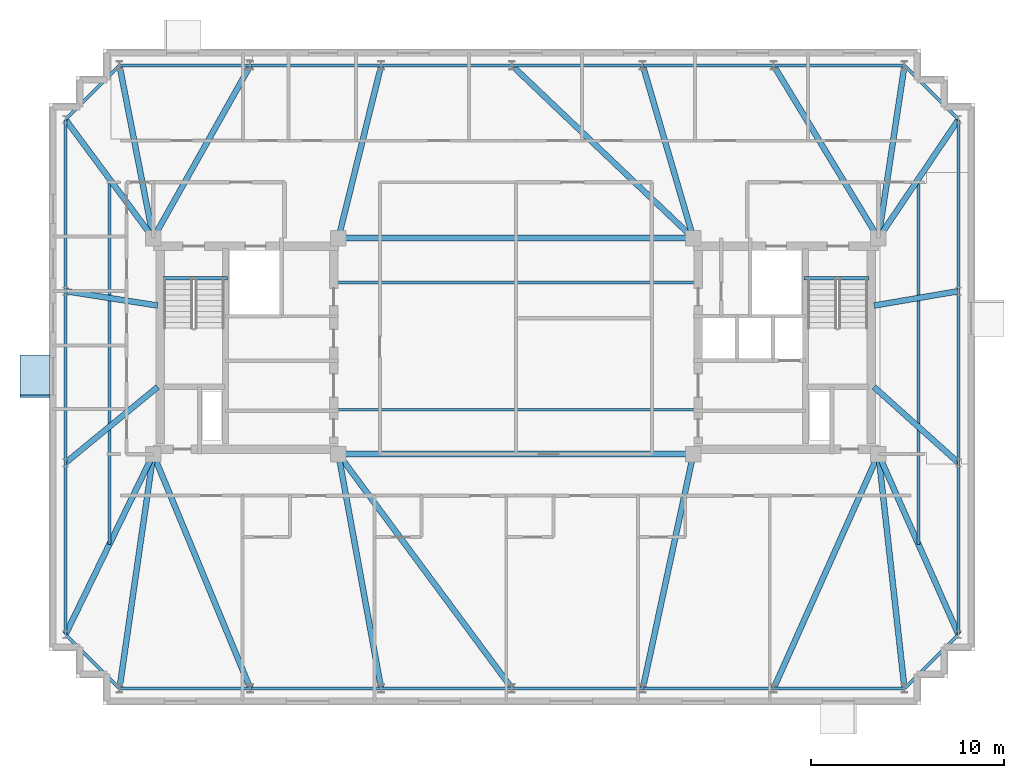
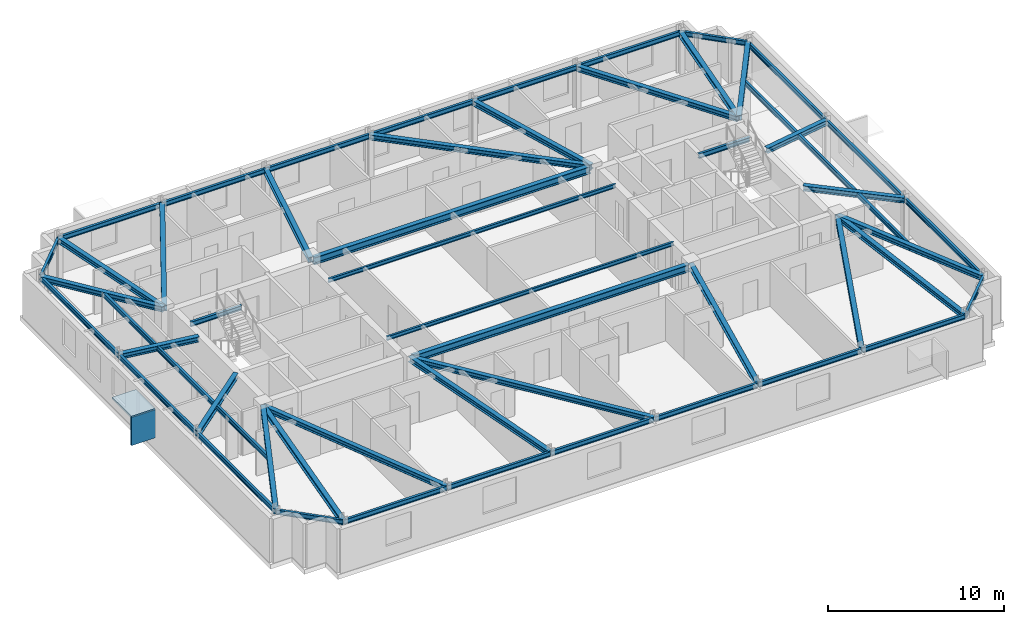
# One storey, part 4 of 12: 52 beams, 2 plates.
"""IFC4 building model written with IfcOpenShell, lengths in metres."""

from ifc_helpers import new_model, si_unit, direction, frame, origin, origin_2d, place, context, subcontext, project, spatial, rectangle, i_section, extrude, material, layer, layer_set, material_profile, profile_set, type_object, element, save


model = new_model("IFC4")

# Units and contexts
model_context = context("Model", 3, precision=1e-05, world=origin(), true_north=direction((0.0, 1.0)))
body_context = subcontext(model_context, "Body", "Model", "MODEL_VIEW")
ifc_project = project(units=[si_unit("LENGTHUNIT", "METRE"), si_unit("AREAUNIT", "SQUARE_METRE"), si_unit("VOLUMEUNIT", "CUBIC_METRE"), si_unit("PLANEANGLEUNIT", "RADIAN"), si_unit("MASSUNIT", "GRAM", prefix="KILO")], contexts=[model_context])

# Site, building, storey
site_placement = place(None, origin())
site = spatial("IfcSite", under=ifc_project, at=site_placement, CompositionType="ELEMENT")
building_placement = place(site_placement, origin())
building = spatial("IfcBuilding", under=site, at=building_placement, Name="Qobustan Lattice House", CompositionType="ELEMENT")
storey_placement = place(building_placement, frame((0.0, 0.0, 241.699951171875)))
storey = spatial("IfcBuildingStorey", under=building, at=storey_placement, Name="L68", CompositionType="ELEMENT", Elevation=241.699951171875)

# Beams
ifc_material_1 = material(Name="Steel S355", Category="steel")
ifc_material_profile_1 = material_profile(ifc_material_1, i_section(OverallWidth=0.300048828125, OverallDepth=0.5, WebThickness=0.014404296875, FlangeThickness=0.028076171875, FilletRadius=0.027099609375, at=origin_2d()), Name="HEB500")
ifc_profile_set_1 = profile_set([ifc_material_profile_1], Name="Steel S355")
beam_type_1 = type_object("IfcBeamType", Name="BM-CG-HEB500", PredefinedType="USERDEFINED", material=ifc_profile_set_1)
for number, where, z_axis, x_axis, name in (
    (1, (-9.050048828125, -5.60009765625, 2.7900390625), (1.0, 0.0, 0.0), (0.0, 1.0, 0.0), "L68 core spine girder CG-CS"),
    (2, (-9.050048828125, 5.60009765625, 2.7900390625), (1.0, 0.0, 0.0), (0.0, 1.0, 0.0), "L68 core spine girder CG-CN"),
):
    element("IfcBeam", number, at=place(storey_placement, frame(where, z_axis=z_axis, x_axis=x_axis)), inside=storey, type_object=beam_type_1, Name=name, ObjectType="GIRDER", PredefinedType="USERDEFINED", context=body_context, shape_type="SweptSolid", body=[
        extrude(i_section(OverallWidth=0.300048828125, OverallDepth=0.5, WebThickness=0.014404296875, FlangeThickness=0.028076171875, FilletRadius=0.027099609375, at=origin_2d()), origin(), (0.0, 0.0, 1.0), 18.10009765625),
    ])
ifc_material_2 = material(Name="Steel S355", Category="steel")
ifc_material_profile_2 = material_profile(ifc_material_2, i_section(OverallWidth=0.300048828125, OverallDepth=0.360107421875, WebThickness=0.012451171875, FlangeThickness=0.0224609375, FilletRadius=0.027099609375, at=origin_2d()), Name="HEB360")
ifc_profile_set_2 = profile_set([ifc_material_profile_2], Name="Steel S355")
beam_type_2 = type_object("IfcBeamType", Name="BM-FLG-HEB360", PredefinedType="USERDEFINED", material=ifc_profile_set_2)
beam_1_placement = place(storey_placement, frame((-20.54638671875, -17.725341796875, 2.860107421875), z_axis=(0.142545171265, 0.989788297642, 0.0), x_axis=(-0.989788297642, 0.142545171265, 0.0)))
element("IfcBeam", 3, at=beam_1_placement, inside=storey, type_object=beam_type_2, Name="L68 primary floor girder RAD-S1W", ObjectType="GIRDER", PredefinedType="USERDEFINED", context=body_context, shape_type="SweptSolid", body=[
    extrude(i_section(OverallWidth=0.300048828125, OverallDepth=0.360107421875, WebThickness=0.012451171875, FlangeThickness=0.0224609375, FilletRadius=0.027099609375, at=origin_2d()), origin(), (0.0, 0.0, 1.0), 12.225341796875),
])
beam_2_placement = place(storey_placement, frame((-13.7763671875, -17.726806640625, 2.860107421875), z_axis=(-0.38270783551, 0.92386942402, 0.0), x_axis=(-0.92386942402, -0.38270783551, 0.0)))
element("IfcBeam", 4, at=beam_2_placement, inside=storey, type_object=beam_type_2, Name="L68 primary floor girder RAD-S2", ObjectType="GIRDER", PredefinedType="USERDEFINED", context=body_context, shape_type="SweptSolid", body=[
    extrude(i_section(OverallWidth=0.300048828125, OverallDepth=0.360107421875, WebThickness=0.012451171875, FlangeThickness=0.0224609375, FilletRadius=0.027099609375, at=origin_2d()), origin(), (0.0, 0.0, 1.0), 13.10107421875),
])
beam_3_placement = place(storey_placement, frame((-6.98779296875, -17.725341796875, 2.860107421875), z_axis=(-0.179484493831, 0.983760802469, 0.0), x_axis=(-0.983760802469, -0.179484493831, 0.0)))
element("IfcBeam", 5, at=beam_3_placement, inside=storey, type_object=beam_type_2, Name="L68 primary floor girder RAD-S3", ObjectType="GIRDER", PredefinedType="USERDEFINED", context=body_context, shape_type="SweptSolid", body=[
    extrude(i_section(OverallWidth=0.300048828125, OverallDepth=0.360107421875, WebThickness=0.012451171875, FlangeThickness=0.0224609375, FilletRadius=0.027099609375, at=origin_2d()), origin(), (0.0, 0.0, 1.0), 12.300537109375),
])
beam_4_placement = place(storey_placement, frame((-0.21484375, -17.72998046875, 2.860107421875), z_axis=(-0.595225226069, 0.803558915233, 0.0), x_axis=(-0.803558915233, -0.595225226069, 0.0)))
element("IfcBeam", 6, at=beam_4_placement, inside=storey, type_object=beam_type_2, Name="L68 primary floor girder RAD-S4", ObjectType="GIRDER", PredefinedType="USERDEFINED", context=body_context, shape_type="SweptSolid", body=[
    extrude(i_section(OverallWidth=0.300048828125, OverallDepth=0.360107421875, WebThickness=0.012451171875, FlangeThickness=0.0224609375, FilletRadius=0.027099609375, at=origin_2d()), origin(), (0.0, 0.0, 1.0), 15.0703125),
])
beam_5_placement = place(storey_placement, frame((6.588623046875, -17.7255859375, 2.860107421875), z_axis=(0.210523018319, 0.977588900693, 0.0), x_axis=(-0.977588900693, 0.210523018319, 0.0)))
element("IfcBeam", 7, at=beam_5_placement, inside=storey, type_object=beam_type_2, Name="L68 primary floor girder RAD-S5", ObjectType="GIRDER", PredefinedType="USERDEFINED", context=body_context, shape_type="SweptSolid", body=[
    extrude(i_section(OverallWidth=0.300048828125, OverallDepth=0.360107421875, WebThickness=0.012451171875, FlangeThickness=0.0224609375, FilletRadius=0.027099609375, at=origin_2d()), origin(), (0.0, 0.0, 1.0), 12.37841796875),
])
beam_6_placement = place(storey_placement, frame((13.376953125, -17.727294921875, 2.860107421875), z_axis=(0.408219903586, 0.912883623643, 0.0), x_axis=(-0.912883623643, 0.408219903586, 0.0)))
element("IfcBeam", 8, at=beam_6_placement, inside=storey, type_object=beam_type_2, Name="L68 primary floor girder RAD-S6", ObjectType="GIRDER", PredefinedType="USERDEFINED", context=body_context, shape_type="SweptSolid", body=[
    extrude(i_section(OverallWidth=0.300048828125, OverallDepth=0.360107421875, WebThickness=0.012451171875, FlangeThickness=0.0224609375, FilletRadius=0.027099609375, at=origin_2d()), origin(), (0.0, 0.0, 1.0), 13.259521484375),
])
beam_7_placement = place(storey_placement, frame((20.147216796875, -17.72509765625, 2.860107421875), z_axis=(-0.110431526075, 0.993883734674, 0.0), x_axis=(-0.993883734674, -0.110431526075, 0.0)))
element("IfcBeam", 9, at=beam_7_placement, inside=storey, type_object=beam_type_2, Name="L68 primary floor girder RAD-S7E", ObjectType="GIRDER", PredefinedType="USERDEFINED", context=body_context, shape_type="SweptSolid", body=[
    extrude(i_section(OverallWidth=0.300048828125, OverallDepth=0.360107421875, WebThickness=0.012451171875, FlangeThickness=0.0224609375, FilletRadius=0.027099609375, at=origin_2d()), origin(), (0.0, 0.0, 1.0), 12.1748046875),
])
beam_8_placement = place(storey_placement, frame((-20.545166015625, 14.525390625, 2.860107421875), z_axis=(0.191905644581, -0.981413380578, 0.0), x_axis=(0.981413380578, 0.191905644581, 0.0)))
element("IfcBeam", 10, at=beam_8_placement, inside=storey, type_object=beam_type_2, Name="L68 primary floor girder RAD-N7W", ObjectType="GIRDER", PredefinedType="USERDEFINED", context=body_context, shape_type="SweptSolid", body=[
    extrude(i_section(OverallWidth=0.300048828125, OverallDepth=0.360107421875, WebThickness=0.012451171875, FlangeThickness=0.0224609375, FilletRadius=0.027099609375, at=origin_2d()), origin(), (0.0, 0.0, 1.0), 9.0693359375),
])
beam_9_placement = place(storey_placement, frame((-13.779052734375, 14.5283203125, 2.860107421875), z_axis=(-0.490160276962, -0.871632320929, 0.0), x_axis=(0.871632320929, -0.490160276962, 0.0)))
element("IfcBeam", 11, at=beam_9_placement, inside=storey, type_object=beam_type_2, Name="L68 primary floor girder RAD-N6", ObjectType="GIRDER", PredefinedType="USERDEFINED", context=body_context, shape_type="SweptSolid", body=[
    extrude(i_section(OverallWidth=0.300048828125, OverallDepth=0.360107421875, WebThickness=0.012451171875, FlangeThickness=0.0224609375, FilletRadius=0.027099609375, at=origin_2d()), origin(), (0.0, 0.0, 1.0), 10.21826171875),
])
beam_10_placement = place(storey_placement, frame((-6.9892578125, 14.525634765625, 2.860107421875), z_axis=(-0.240430288899, -0.970666408289, 0.0), x_axis=(0.970666408289, -0.240430288899, 0.0)))
element("IfcBeam", 12, at=beam_10_placement, inside=storey, type_object=beam_type_2, Name="L68 primary floor girder RAD-N5", ObjectType="GIRDER", PredefinedType="USERDEFINED", context=body_context, shape_type="SweptSolid", body=[
    extrude(i_section(OverallWidth=0.300048828125, OverallDepth=0.360107421875, WebThickness=0.012451171875, FlangeThickness=0.0224609375, FilletRadius=0.027099609375, at=origin_2d()), origin(), (0.0, 0.0, 1.0), 9.17041015625),
])
beam_11_placement = place(storey_placement, frame((-0.181884765625, 14.53271484375, 2.860107421875), z_axis=(0.724228633775, -0.689559921995, 0.0), x_axis=(0.689559921995, 0.724228633775, 0.0)))
element("IfcBeam", 13, at=beam_11_placement, inside=storey, type_object=beam_type_2, Name="L68 primary floor girder RAD-N4", ObjectType="GIRDER", PredefinedType="USERDEFINED", context=body_context, shape_type="SweptSolid", body=[
    extrude(i_section(OverallWidth=0.300048828125, OverallDepth=0.360107421875, WebThickness=0.012451171875, FlangeThickness=0.0224609375, FilletRadius=0.027099609375, at=origin_2d()), origin(), (0.0, 0.0, 1.0), 12.92919921875),
])
beam_12_placement = place(storey_placement, frame((6.59033203125, 14.52587890625, 2.860107421875), z_axis=(0.28063676088, -0.959814048888, 0.0), x_axis=(0.959814048888, 0.28063676088, 0.0)))
element("IfcBeam", 14, at=beam_12_placement, inside=storey, type_object=beam_type_2, Name="L68 primary floor girder RAD-N3", ObjectType="GIRDER", PredefinedType="USERDEFINED", context=body_context, shape_type="SweptSolid", body=[
    extrude(i_section(OverallWidth=0.300048828125, OverallDepth=0.360107421875, WebThickness=0.012451171875, FlangeThickness=0.0224609375, FilletRadius=0.027099609375, at=origin_2d()), origin(), (0.0, 0.0, 1.0), 9.274658203125),
])
beam_13_placement = place(storey_placement, frame((13.379638671875, 14.528564453125, 2.860107421875), z_axis=(0.518943895492, -0.854808302096, 0.0), x_axis=(0.854808302096, 0.518943895492, 0.0)))
element("IfcBeam", 15, at=beam_13_placement, inside=storey, type_object=beam_type_2, Name="L68 primary floor girder RAD-N2", ObjectType="GIRDER", PredefinedType="USERDEFINED", context=body_context, shape_type="SweptSolid", body=[
    extrude(i_section(OverallWidth=0.300048828125, OverallDepth=0.360107421875, WebThickness=0.012451171875, FlangeThickness=0.0224609375, FilletRadius=0.027099609375, at=origin_2d()), origin(), (0.0, 0.0, 1.0), 10.420166015625),
])
beam_14_placement = place(storey_placement, frame((20.146240234375, 14.525390625, 2.860107421875), z_axis=(-0.149148118249, -0.988814865798, 0.0), x_axis=(0.988814865798, -0.149148118249, 0.0)))
element("IfcBeam", 16, at=beam_14_placement, inside=storey, type_object=beam_type_2, Name="L68 primary floor girder RAD-N1E", ObjectType="GIRDER", PredefinedType="USERDEFINED", context=body_context, shape_type="SweptSolid", body=[
    extrude(i_section(OverallWidth=0.300048828125, OverallDepth=0.360107421875, WebThickness=0.012451171875, FlangeThickness=0.0224609375, FilletRadius=0.027099609375, at=origin_2d()), origin(), (0.0, 0.0, 1.0), 9.001220703125),
])
beam_15_placement = place(storey_placement, frame((-23.335205078125, 11.72998046875, 2.860107421875), z_axis=(0.594754993974, -0.80390702021, 0.0), x_axis=(0.80390702021, 0.594754993974, 0.0)))
element("IfcBeam", 17, at=beam_15_placement, inside=storey, type_object=beam_type_2, Name="L68 primary floor girder RAD-W1", ObjectType="GIRDER", PredefinedType="USERDEFINED", context=body_context, shape_type="SweptSolid", body=[
    extrude(i_section(OverallWidth=0.300048828125, OverallDepth=0.360107421875, WebThickness=0.012451171875, FlangeThickness=0.0224609375, FilletRadius=0.027099609375, at=origin_2d()), origin(), (0.0, 0.0, 1.0), 7.60009765625),
])
beam_16_placement = place(storey_placement, frame((-23.3251953125, 2.84619140625, 2.860107421875), z_axis=(0.988014453876, -0.154361390677, 0.0), x_axis=(0.154361390677, 0.988014453876, 0.0)))
element("IfcBeam", 18, at=beam_16_placement, inside=storey, type_object=beam_type_2, Name="L68 primary floor girder RAD-W2", ObjectType="GIRDER", PredefinedType="USERDEFINED", context=body_context, shape_type="SweptSolid", body=[
    extrude(i_section(OverallWidth=0.300048828125, OverallDepth=0.360107421875, WebThickness=0.012451171875, FlangeThickness=0.0224609375, FilletRadius=0.027099609375, at=origin_2d()), origin(), (0.0, 0.0, 1.0), 4.80810546875),
])
beam_17_placement = place(storey_placement, frame((-23.330810546875, -6.0341796875, 2.860107421875), z_axis=(0.772169041192, 0.635417163621, 0.0), x_axis=(-0.635417163621, 0.772169041192, 0.0)))
element("IfcBeam", 19, at=beam_17_placement, inside=storey, type_object=beam_type_2, Name="L68 primary floor girder RAD-W3", ObjectType="GIRDER", PredefinedType="USERDEFINED", context=body_context, shape_type="SweptSolid", body=[
    extrude(i_section(OverallWidth=0.300048828125, OverallDepth=0.360107421875, WebThickness=0.012451171875, FlangeThickness=0.0224609375, FilletRadius=0.027099609375, at=origin_2d()), origin(), (0.0, 0.0, 1.0), 6.166259765625),
])
beam_18_placement = place(storey_placement, frame((-23.339111328125, -14.927490234375, 2.860107421875), z_axis=(0.437590490598, 0.899174378271, 0.0), x_axis=(-0.899174378271, 0.437590490598, 0.0)))
element("IfcBeam", 20, at=beam_18_placement, inside=storey, type_object=beam_type_2, Name="L68 primary floor girder RAD-W4", ObjectType="GIRDER", PredefinedType="USERDEFINED", context=body_context, shape_type="SweptSolid", body=[
    extrude(i_section(OverallWidth=0.300048828125, OverallDepth=0.360107421875, WebThickness=0.012451171875, FlangeThickness=0.0224609375, FilletRadius=0.027099609375, at=origin_2d()), origin(), (0.0, 0.0, 1.0), 10.348388671875),
])
beam_19_placement = place(storey_placement, frame((22.93603515625, 11.729248046875, 2.860107421875), z_axis=(-0.559355068937, -0.828928167488, 0.0), x_axis=(0.828928167488, -0.559355068937, 0.0)))
element("IfcBeam", 21, at=beam_19_placement, inside=storey, type_object=beam_type_2, Name="L68 primary floor girder RAD-E4", ObjectType="GIRDER", PredefinedType="USERDEFINED", context=body_context, shape_type="SweptSolid", body=[
    extrude(i_section(OverallWidth=0.300048828125, OverallDepth=0.360107421875, WebThickness=0.012451171875, FlangeThickness=0.0224609375, FilletRadius=0.027099609375, at=origin_2d()), origin(), (0.0, 0.0, 1.0), 7.369384765625),
])
beam_20_placement = place(storey_placement, frame((22.92529296875, 2.845703125, 2.860107421875), z_axis=(-0.985786297247, -0.168004095664, 0.0), x_axis=(0.168004095664, -0.985786297247, 0.0)))
element("IfcBeam", 22, at=beam_20_placement, inside=storey, type_object=beam_type_2, Name="L68 primary floor girder RAD-E3", ObjectType="GIRDER", PredefinedType="USERDEFINED", context=body_context, shape_type="SweptSolid", body=[
    extrude(i_section(OverallWidth=0.300048828125, OverallDepth=0.360107421875, WebThickness=0.012451171875, FlangeThickness=0.0224609375, FilletRadius=0.027099609375, at=origin_2d()), origin(), (0.0, 0.0, 1.0), 4.413330078125),
])
beam_21_placement = place(storey_placement, frame((22.931396484375, -6.033203125, 2.860107421875), z_axis=(-0.744142492307, 0.668020921186, 0.0), x_axis=(-0.668020921186, -0.744142492307, 0.0)))
element("IfcBeam", 23, at=beam_21_placement, inside=storey, type_object=beam_type_2, Name="L68 primary floor girder RAD-E2", ObjectType="GIRDER", PredefinedType="USERDEFINED", context=body_context, shape_type="SweptSolid", body=[
    extrude(i_section(OverallWidth=0.300048828125, OverallDepth=0.360107421875, WebThickness=0.012451171875, FlangeThickness=0.0224609375, FilletRadius=0.027099609375, at=origin_2d()), origin(), (0.0, 0.0, 1.0), 5.86279296875),
])
beam_22_placement = place(storey_placement, frame((22.93994140625, -14.927001953125, 2.860107421875), z_axis=(-0.405702269061, 0.914005289306, 0.0), x_axis=(-0.914005289306, -0.405702269061, 0.0)))
element("IfcBeam", 24, at=beam_22_placement, inside=storey, type_object=beam_type_2, Name="L68 primary floor girder RAD-E1", ObjectType="GIRDER", PredefinedType="USERDEFINED", context=body_context, shape_type="SweptSolid", body=[
    extrude(i_section(OverallWidth=0.300048828125, OverallDepth=0.360107421875, WebThickness=0.012451171875, FlangeThickness=0.0224609375, FilletRadius=0.027099609375, at=origin_2d()), origin(), (0.0, 0.0, 1.0), 10.1796875),
])
ifc_material_3 = material(Name="Steel S355", Category="steel")
ifc_material_profile_3 = material_profile(ifc_material_3, i_section(OverallWidth=0.135009765625, OverallDepth=0.27001953125, WebThickness=0.006591796875, FlangeThickness=0.01025390625, FilletRadius=0.014892578125, at=origin_2d()), Name="IPE270")
ifc_profile_set_3 = profile_set([ifc_material_profile_3], Name="Steel S355")
beam_type_3 = type_object("IfcBeamType", Name="BM-JST-IPE270", PredefinedType="JOIST", material=ifc_profile_set_3)
for number, where, z_axis, x_axis, name in (
    (25, (-9.39990234375, -3.300048828125, 2.905029296875), (1.0, 0.0, 0.0), (0.0, 1.0, 0.0), "L68 central span floor joist 1"),
    (26, (-9.39990234375, 3.300048828125, 2.905029296875), (1.0, 0.0, 0.0), (0.0, 1.0, 0.0), "L68 central span floor joist 2"),
):
    element("IfcBeam", number, at=place(storey_placement, frame(where, z_axis=z_axis, x_axis=x_axis)), inside=storey, type_object=beam_type_3, Name=name, PredefinedType="JOIST", context=body_context, shape_type="SweptSolid", body=[
        extrude(i_section(OverallWidth=0.135009765625, OverallDepth=0.27001953125, WebThickness=0.006591796875, FlangeThickness=0.01025390625, FilletRadius=0.014892578125, at=origin_2d()), origin(), (0.0, 0.0, 1.0), 18.7998046875),
    ])
ifc_material_4 = material(Name="Steel S355", Category="steel")
ifc_material_profile_4 = material_profile(ifc_material_4, i_section(OverallWidth=0.159912109375, OverallDepth=0.330078125, WebThickness=0.007568359375, FlangeThickness=0.011474609375, FilletRadius=0.01806640625, at=origin_2d()), Name="IPE330")
ifc_profile_set_4 = profile_set([ifc_material_profile_4], Name="Steel S355")
beam_type_4 = type_object("IfcBeamType", Name="BM-SEC-IPE330", PredefinedType="BEAM", material=ifc_profile_set_4)
for number, where, z_axis, x_axis, name in (
    (27, (-21.074951171875, 8.675048828125, 2.875), (0.0, -1.0, 0.0), (1.0, 0.0, 0.0), "L68 west wing secondary beam"),
    (28, (20.875, 8.675048828125, 2.875), (0.0, -1.0, 0.0), (1.0, 0.0, 0.0), "L68 east wing secondary beam"),
):
    element("IfcBeam", number, at=place(storey_placement, frame(where, z_axis=z_axis, x_axis=x_axis)), inside=storey, type_object=beam_type_4, Name=name, PredefinedType="BEAM", context=body_context, shape_type="SweptSolid", body=[
        extrude(i_section(OverallWidth=0.159912109375, OverallDepth=0.330078125, WebThickness=0.007568359375, FlangeThickness=0.011474609375, FilletRadius=0.01806640625, at=origin_2d()), origin(), (0.0, 0.0, 1.0), 18.949951171875),
    ])
ifc_material_5 = material(Name="Steel S355", Category="steel")
ifc_material_profile_5 = material_profile(ifc_material_5, i_section(OverallWidth=0.159912109375, OverallDepth=0.330078125, WebThickness=0.007568359375, FlangeThickness=0.011474609375, FilletRadius=0.01806640625, at=origin_2d()), Name="IPE330")
ifc_profile_set_5 = profile_set([ifc_material_profile_5], Name="Steel S355")
beam_type_5 = type_object("IfcBeamType", Name="BM-SPD-IPE330", PredefinedType="SPANDREL", material=ifc_profile_set_5)
for number, where, z_axis, x_axis, name in (
    (29, (-18.300048828125, 3.52001953125, 2.875), (1.0, 0.0, 0.0), (0.0, 1.0, 0.0), "L68 west stair landing trimmer beam"),
    (30, (14.949951171875, 3.52001953125, 2.875), (1.0, 0.0, 0.0), (0.0, 1.0, 0.0), "L68 east stair landing trimmer beam"),
):
    element("IfcBeam", number, at=place(storey_placement, frame(where, z_axis=z_axis, x_axis=x_axis)), inside=storey, type_object=beam_type_5, Name=name, PredefinedType="SPANDREL", context=body_context, shape_type="SweptSolid", body=[
        extrude(i_section(OverallWidth=0.159912109375, OverallDepth=0.330078125, WebThickness=0.007568359375, FlangeThickness=0.011474609375, FilletRadius=0.01806640625, at=origin_2d()), origin(), (0.0, 0.0, 1.0), 3.35009765625),
    ])
beam_23_placement = place(storey_placement, frame((-20.52490234375, -17.75, 2.875), z_axis=(1.0, 0.0, 0.0), x_axis=(0.0, 1.0, 0.0)))
element("IfcBeam", 31, at=beam_23_placement, inside=storey, type_object=beam_type_5, Name="L68 perimeter spandrel S1-S2", PredefinedType="SPANDREL", context=body_context, shape_type="SweptSolid", body=[
    extrude(i_section(OverallWidth=0.159912109375, OverallDepth=0.330078125, WebThickness=0.007568359375, FlangeThickness=0.011474609375, FilletRadius=0.01806640625, at=origin_2d()), origin(), (0.0, 0.0, 1.0), 6.733154296875),
])
beam_24_placement = place(storey_placement, frame((-13.74169921875, -17.75, 2.875), z_axis=(1.0, 0.0, 0.0), x_axis=(0.0, 1.0, 0.0)))
element("IfcBeam", 32, at=beam_24_placement, inside=storey, type_object=beam_type_5, Name="L68 perimeter spandrel S2-S3", PredefinedType="SPANDREL", context=body_context, shape_type="SweptSolid", body=[
    extrude(i_section(OverallWidth=0.159912109375, OverallDepth=0.330078125, WebThickness=0.007568359375, FlangeThickness=0.011474609375, FilletRadius=0.01806640625, at=origin_2d()), origin(), (0.0, 0.0, 1.0), 6.7333984375),
])
beam_25_placement = place(storey_placement, frame((-6.958251953125, -17.75, 2.875), z_axis=(1.0, 0.0, 0.0), x_axis=(0.0, 1.0, 0.0)))
element("IfcBeam", 33, at=beam_25_placement, inside=storey, type_object=beam_type_5, Name="L68 perimeter spandrel S3-S4", PredefinedType="SPANDREL", context=body_context, shape_type="SweptSolid", body=[
    extrude(i_section(OverallWidth=0.159912109375, OverallDepth=0.330078125, WebThickness=0.007568359375, FlangeThickness=0.011474609375, FilletRadius=0.01806640625, at=origin_2d()), origin(), (0.0, 0.0, 1.0), 6.733154296875),
])
for number, where, z_axis, x_axis, name in (
    (34, (-0.175048828125, -17.75, 2.875), (1.0, 0.0, 0.0), (0.0, 1.0, 0.0), "L68 perimeter spandrel S4-S5"),
    (35, (6.6083984375, -17.75, 2.875), (1.0, 0.0, 0.0), (0.0, 1.0, 0.0), "L68 perimeter spandrel S5-S6"),
    (36, (13.3916015625, -17.75, 2.875), (1.0, 0.0, 0.0), (0.0, 1.0, 0.0), "L68 perimeter spandrel S6-S7"),
):
    element("IfcBeam", number, at=place(storey_placement, frame(where, z_axis=z_axis, x_axis=x_axis)), inside=storey, type_object=beam_type_5, Name=name, PredefinedType="SPANDREL", context=body_context, shape_type="SweptSolid", body=[
        extrude(i_section(OverallWidth=0.159912109375, OverallDepth=0.330078125, WebThickness=0.007568359375, FlangeThickness=0.011474609375, FilletRadius=0.01806640625, at=origin_2d()), origin(), (0.0, 0.0, 1.0), 6.7333984375),
    ])
beam_26_placement = place(storey_placement, frame((20.167724609375, -17.732421875, 2.875), z_axis=(0.707106781187, 0.707106781187, 0.0), x_axis=(-0.707106781187, 0.707106781187, 0.0)))
element("IfcBeam", 37, at=beam_26_placement, inside=storey, type_object=beam_type_5, Name="L68 perimeter spandrel S7-E1", PredefinedType="SPANDREL", context=body_context, shape_type="SweptSolid", body=[
    extrude(i_section(OverallWidth=0.159912109375, OverallDepth=0.330078125, WebThickness=0.007568359375, FlangeThickness=0.011474609375, FilletRadius=0.01806640625, at=origin_2d()), origin(), (0.0, 0.0, 1.0), 3.909912109375),
])
beam_27_placement = place(storey_placement, frame((22.949951171875, -14.925048828125, 2.875), z_axis=(0.0, 1.0, 0.0), x_axis=(-1.0, 0.0, 0.0)))
element("IfcBeam", 38, at=beam_27_placement, inside=storey, type_object=beam_type_5, Name="L68 perimeter spandrel E1-E2", PredefinedType="SPANDREL", context=body_context, shape_type="SweptSolid", body=[
    extrude(i_section(OverallWidth=0.159912109375, OverallDepth=0.330078125, WebThickness=0.007568359375, FlangeThickness=0.011474609375, FilletRadius=0.01806640625, at=origin_2d()), origin(), (0.0, 0.0, 1.0), 8.85009765625),
])
beam_28_placement = place(storey_placement, frame((22.949951171875, -6.02490234375, 2.875), z_axis=(0.0, 1.0, 0.0), x_axis=(-1.0, 0.0, 0.0)))
element("IfcBeam", 39, at=beam_28_placement, inside=storey, type_object=beam_type_5, Name="L68 perimeter spandrel E2-E3", PredefinedType="SPANDREL", context=body_context, shape_type="SweptSolid", body=[
    extrude(i_section(OverallWidth=0.159912109375, OverallDepth=0.330078125, WebThickness=0.007568359375, FlangeThickness=0.011474609375, FilletRadius=0.01806640625, at=origin_2d()), origin(), (0.0, 0.0, 1.0), 8.849853515625),
])
beam_29_placement = place(storey_placement, frame((22.949951171875, 2.875, 2.875), z_axis=(0.0, 1.0, 0.0), x_axis=(-1.0, 0.0, 0.0)))
element("IfcBeam", 40, at=beam_29_placement, inside=storey, type_object=beam_type_5, Name="L68 perimeter spandrel E3-E4", PredefinedType="SPANDREL", context=body_context, shape_type="SweptSolid", body=[
    extrude(i_section(OverallWidth=0.159912109375, OverallDepth=0.330078125, WebThickness=0.007568359375, FlangeThickness=0.011474609375, FilletRadius=0.01806640625, at=origin_2d()), origin(), (0.0, 0.0, 1.0), 8.85009765625),
])
beam_30_placement = place(storey_placement, frame((22.932373046875, 11.767578125, 2.875), z_axis=(-0.707106781187, 0.707106781187, 0.0), x_axis=(-0.707106781187, -0.707106781187, 0.0)))
element("IfcBeam", 41, at=beam_30_placement, inside=storey, type_object=beam_type_5, Name="L68 perimeter spandrel E4-N1", PredefinedType="SPANDREL", context=body_context, shape_type="SweptSolid", body=[
    extrude(i_section(OverallWidth=0.159912109375, OverallDepth=0.330078125, WebThickness=0.007568359375, FlangeThickness=0.011474609375, FilletRadius=0.01806640625, at=origin_2d()), origin(), (0.0, 0.0, 1.0), 3.909912109375),
])
for number, where, z_axis, x_axis, name in (
    (42, (20.125, 14.550048828125, 2.875), (-1.0, 0.0, 0.0), (0.0, -1.0, 0.0), "L68 perimeter spandrel N1-N2"),
    (43, (13.341796875, 14.550048828125, 2.875), (-1.0, 0.0, 0.0), (0.0, -1.0, 0.0), "L68 perimeter spandrel N2-N3"),
    (44, (6.558349609375, 14.550048828125, 2.875), (-1.0, 0.0, 0.0), (0.0, -1.0, 0.0), "L68 perimeter spandrel N3-N4"),
):
    element("IfcBeam", number, at=place(storey_placement, frame(where, z_axis=z_axis, x_axis=x_axis)), inside=storey, type_object=beam_type_5, Name=name, PredefinedType="SPANDREL", context=body_context, shape_type="SweptSolid", body=[
        extrude(i_section(OverallWidth=0.159912109375, OverallDepth=0.330078125, WebThickness=0.007568359375, FlangeThickness=0.011474609375, FilletRadius=0.01806640625, at=origin_2d()), origin(), (0.0, 0.0, 1.0), 6.7333984375),
    ])
beam_31_placement = place(storey_placement, frame((-0.22509765625, 14.550048828125, 2.875), z_axis=(-1.0, 0.0, 0.0), x_axis=(0.0, -1.0, 0.0)))
element("IfcBeam", 45, at=beam_31_placement, inside=storey, type_object=beam_type_5, Name="L68 perimeter spandrel N4-N5", PredefinedType="SPANDREL", context=body_context, shape_type="SweptSolid", body=[
    extrude(i_section(OverallWidth=0.159912109375, OverallDepth=0.330078125, WebThickness=0.007568359375, FlangeThickness=0.011474609375, FilletRadius=0.01806640625, at=origin_2d()), origin(), (0.0, 0.0, 1.0), 6.733154296875),
])
beam_32_placement = place(storey_placement, frame((-7.00830078125, 14.550048828125, 2.875), z_axis=(-1.0, 0.0, 0.0), x_axis=(0.0, -1.0, 0.0)))
element("IfcBeam", 46, at=beam_32_placement, inside=storey, type_object=beam_type_5, Name="L68 perimeter spandrel N5-N6", PredefinedType="SPANDREL", context=body_context, shape_type="SweptSolid", body=[
    extrude(i_section(OverallWidth=0.159912109375, OverallDepth=0.330078125, WebThickness=0.007568359375, FlangeThickness=0.011474609375, FilletRadius=0.01806640625, at=origin_2d()), origin(), (0.0, 0.0, 1.0), 6.7333984375),
])
beam_33_placement = place(storey_placement, frame((-13.791748046875, 14.550048828125, 2.875), z_axis=(-1.0, 0.0, 0.0), x_axis=(0.0, -1.0, 0.0)))
element("IfcBeam", 47, at=beam_33_placement, inside=storey, type_object=beam_type_5, Name="L68 perimeter spandrel N6-N7", PredefinedType="SPANDREL", context=body_context, shape_type="SweptSolid", body=[
    extrude(i_section(OverallWidth=0.159912109375, OverallDepth=0.330078125, WebThickness=0.007568359375, FlangeThickness=0.011474609375, FilletRadius=0.01806640625, at=origin_2d()), origin(), (0.0, 0.0, 1.0), 6.733154296875),
])
beam_34_placement = place(storey_placement, frame((-20.567626953125, 14.5322265625, 2.875), z_axis=(-0.707106781187, -0.707106781187, 0.0), x_axis=(0.707106781187, -0.707106781187, 0.0)))
element("IfcBeam", 48, at=beam_34_placement, inside=storey, type_object=beam_type_5, Name="L68 perimeter spandrel N7-W1", PredefinedType="SPANDREL", context=body_context, shape_type="SweptSolid", body=[
    extrude(i_section(OverallWidth=0.159912109375, OverallDepth=0.330078125, WebThickness=0.007568359375, FlangeThickness=0.011474609375, FilletRadius=0.01806640625, at=origin_2d()), origin(), (0.0, 0.0, 1.0), 3.909912109375),
])
beam_35_placement = place(storey_placement, frame((-23.35009765625, 11.72509765625, 2.875), z_axis=(0.0, -1.0, 0.0), x_axis=(1.0, 0.0, 0.0)))
element("IfcBeam", 49, at=beam_35_placement, inside=storey, type_object=beam_type_5, Name="L68 perimeter spandrel W1-W2", PredefinedType="SPANDREL", context=body_context, shape_type="SweptSolid", body=[
    extrude(i_section(OverallWidth=0.159912109375, OverallDepth=0.330078125, WebThickness=0.007568359375, FlangeThickness=0.011474609375, FilletRadius=0.01806640625, at=origin_2d()), origin(), (0.0, 0.0, 1.0), 8.85009765625),
])
beam_36_placement = place(storey_placement, frame((-23.35009765625, 2.824951171875, 2.875), z_axis=(0.0, -1.0, 0.0), x_axis=(1.0, 0.0, 0.0)))
element("IfcBeam", 50, at=beam_36_placement, inside=storey, type_object=beam_type_5, Name="L68 perimeter spandrel W2-W3", PredefinedType="SPANDREL", context=body_context, shape_type="SweptSolid", body=[
    extrude(i_section(OverallWidth=0.159912109375, OverallDepth=0.330078125, WebThickness=0.007568359375, FlangeThickness=0.011474609375, FilletRadius=0.01806640625, at=origin_2d()), origin(), (0.0, 0.0, 1.0), 8.849853515625),
])
beam_37_placement = place(storey_placement, frame((-23.35009765625, -6.074951171875, 2.875), z_axis=(0.0, -1.0, 0.0), x_axis=(1.0, 0.0, 0.0)))
element("IfcBeam", 51, at=beam_37_placement, inside=storey, type_object=beam_type_5, Name="L68 perimeter spandrel W3-W4", PredefinedType="SPANDREL", context=body_context, shape_type="SweptSolid", body=[
    extrude(i_section(OverallWidth=0.159912109375, OverallDepth=0.330078125, WebThickness=0.007568359375, FlangeThickness=0.011474609375, FilletRadius=0.01806640625, at=origin_2d()), origin(), (0.0, 0.0, 1.0), 8.85009765625),
])
beam_38_placement = place(storey_placement, frame((-23.332275390625, -14.9677734375, 2.875), z_axis=(0.707106781187, -0.707106781187, 0.0), x_axis=(0.707106781187, 0.707106781187, 0.0)))
element("IfcBeam", 52, at=beam_38_placement, inside=storey, type_object=beam_type_5, Name="L68 perimeter spandrel W4-S1", PredefinedType="SPANDREL", context=body_context, shape_type="SweptSolid", body=[
    extrude(i_section(OverallWidth=0.159912109375, OverallDepth=0.330078125, WebThickness=0.007568359375, FlangeThickness=0.011474609375, FilletRadius=0.01806640625, at=origin_2d()), origin(), (0.0, 0.0, 1.0), 3.909912109375),
])

# Plates
ifc_material_6 = material(Name="Qobustan limestone GFRC", Category="masonry")
ifc_layer = layer(ifc_material_6, 0.1201171875)
ifc_layer_set = layer_set([ifc_layer], Name="Qobustan limestone GFRC")
plate_type = type_object("IfcPlateType", Name="SHD-HOOD-BROW", PredefinedType="USERDEFINED", material=ifc_layer_set)
plate_1_placement = place(storey_placement, frame((-24.929931640625, -1.56005859375, 2.699951171875), z_axis=(0.0, 0.0, 1.0), x_axis=(0.0, 1.0, 0.0)))
element("IfcPlate", 53, at=plate_1_placement, inside=storey, type_object=plate_type, Name="L68 splayed Qobustan stone hood brow", ObjectType="SUNSHADE", PredefinedType="USERDEFINED", context=body_context, shape_type="SweptSolid", body=[
    extrude(rectangle(XDim=2.18994140625, YDim=1.56005859375, at=origin_2d()), origin(), (0.0, 0.0, 1.0), 0.1201171875),
])
plate_2_placement = place(storey_placement, frame((-24.929931640625, -2.594970703125, 0.7900390625), z_axis=(0.0, 0.0, 1.0), x_axis=(0.0, 1.0, 0.0)))
element("IfcPlate", 54, at=plate_2_placement, inside=storey, type_object=plate_type, Name="L68 splayed Qobustan stone hood cheek", ObjectType="SUNSHADE", PredefinedType="USERDEFINED", context=body_context, shape_type="SweptSolid", body=[
    extrude(rectangle(XDim=0.1201171875, YDim=1.56005859375, at=origin_2d()), origin(), (0.0, 0.0, 1.0), 1.969970703125),
])

save(model, "model.ifc")
